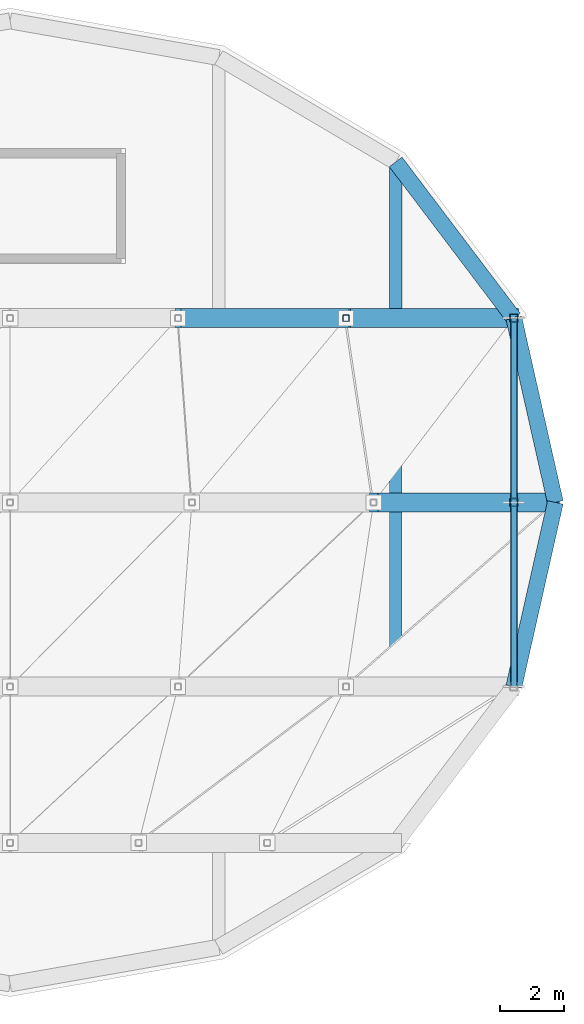
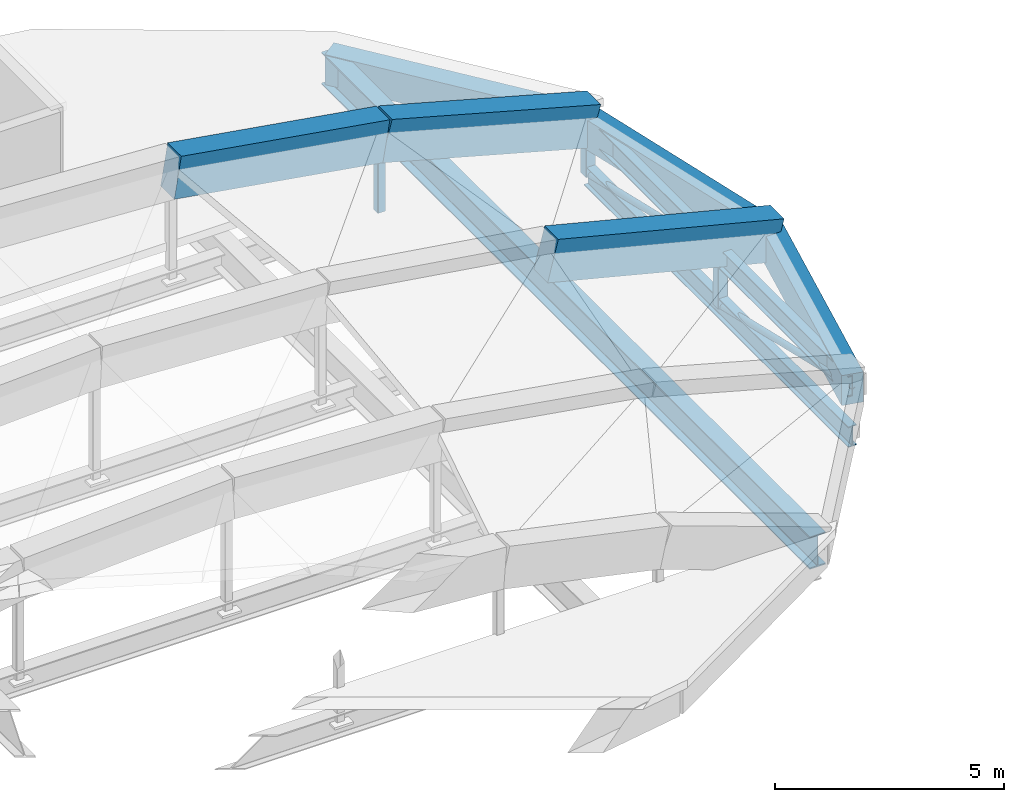
# One storey, part 65 of 88: 8 beams, 7 members.
"""IFC4 building model written with IfcOpenShell, lengths in metres."""

from ifc_helpers import new_model, si_unit, direction, frame, origin, origin_2d, place, context, subcontext, project, spatial, rectangle, hollow_rectangle, hollow_circle, i_section, extrude, material, material_profile, profile_set, type_object, element, save


model = new_model("IFC4")

# Units and contexts
model_context = context("Model", 3, precision=1e-05, world=origin(), true_north=direction((0.0, 1.0)))
body_context = subcontext(model_context, "Body", "Model", "MODEL_VIEW")
ifc_project = project(units=[si_unit("LENGTHUNIT", "METRE"), si_unit("AREAUNIT", "SQUARE_METRE"), si_unit("VOLUMEUNIT", "CUBIC_METRE"), si_unit("PLANEANGLEUNIT", "RADIAN"), si_unit("MASSUNIT", "GRAM", prefix="KILO")], contexts=[model_context])

# Site, building, storey
site_placement = place(None, origin())
site = spatial("IfcSite", under=ifc_project, at=site_placement, CompositionType="ELEMENT")
building_placement = place(site_placement, origin())
building = spatial("IfcBuilding", under=site, at=building_placement, Name="Vespera Passage Community Centre", CompositionType="ELEMENT")
storey_placement = place(building_placement, frame((0.0, 0.0, 16.5)))
storey = spatial("IfcBuildingStorey", under=building, at=storey_placement, Name="L04", CompositionType="ELEMENT", Elevation=16.5)

# Beams
ifc_material_1 = material(Name="Concrete f'c 45 MPa", Category="concrete")
ifc_material_profile_1 = material_profile(ifc_material_1, rectangle(XDim=0.60009765625, YDim=1.10009765625, at=origin_2d()), Name="RC600X1100")
ifc_profile_set_1 = profile_set([ifc_material_profile_1], Name="Concrete f'c 45 MPa")
beam_type_1 = type_object("IfcBeamType", Name="BM-AR-600X1100", PredefinedType="USERDEFINED", material=ifc_profile_set_1)
beam_1_placement = place(storey_placement, frame((154.39990234375, 89.5, 1.0244140625), z_axis=(0.969365839516, 0.0, -0.245621393977), x_axis=(0.0, 1.0, 0.0)))
element("IfcBeam", 1, at=beam_1_placement, inside=storey, type_object=beam_type_1, Name="Sports Hall Arched Rib 3.6", ObjectType="ARCH RIB", PredefinedType="USERDEFINED", context=body_context, shape_type="SweptSolid", body=[
    extrude(rectangle(XDim=0.60009765625, YDim=1.10009765625, at=origin_2d()), origin(), (0.0, 0.0, 1.0), 5.88037109375),
])
beam_2_placement = place(storey_placement, frame((148.26611328125, 95.278564453125, 1.89111328125), z_axis=(0.986725707269, 0.0, -0.162395746908), x_axis=(0.0, 1.0, 0.0)))
element("IfcBeam", 2, at=beam_2_placement, inside=storey, type_object=beam_type_1, Name="Sports Hall Arched Rib 4.5", ObjectType="ARCH RIB", PredefinedType="USERDEFINED", context=body_context, shape_type="SweptSolid", body=[
    extrude(rectangle(XDim=0.60009765625, YDim=1.10009765625, at=origin_2d()), origin(), (0.0, 0.0, 1.0), 5.3369140625),
])
beam_3_placement = place(storey_placement, frame((153.5322265625, 95.278564453125, 1.0244140625), z_axis=(0.964385203819, 0.0, -0.264501755484), x_axis=(0.0, 1.0, 0.0)))
element("IfcBeam", 3, at=beam_3_placement, inside=storey, type_object=beam_type_1, Name="Sports Hall Arched Rib 4.6", ObjectType="ARCH RIB", PredefinedType="USERDEFINED", context=body_context, shape_type="SweptSolid", body=[
    extrude(rectangle(XDim=0.60009765625, YDim=1.10009765625, at=origin_2d()), origin(), (0.0, 0.0, 1.0), 5.460693359375),
])
ifc_material_2 = material(Name="Steel ASTM A992 Grade 50", Category="steel")
ifc_material_profile_2 = material_profile(ifc_material_2, i_section(OverallWidth=0.2138671875, OverallDepth=0.548583984375, WebThickness=0.0146484375, FlangeThickness=0.023681640625, FilletRadius=0.0126953125, at=origin_2d()), Name="W21X93")
ifc_profile_set_2 = profile_set([ifc_material_profile_2], Name="Steel ASTM A992 Grade 50")
beam_type_2 = type_object("IfcBeamType", Name="BM-G-W21X93", PredefinedType="BEAM", material=ifc_profile_set_2)
beam_4_placement = place(storey_placement, frame((158.79833984375, 95.278564453125, -1.860107421875), z_axis=(0.0, -1.0, 0.0), x_axis=(1.0, 0.0, 0.0)))
element("IfcBeam", 4, at=beam_4_placement, inside=storey, type_object=beam_type_2, Name="Sports Hall Eave Tie Beam 1", PredefinedType="BEAM", context=body_context, shape_type="SweptSolid", body=[
    extrude(i_section(OverallWidth=0.2138671875, OverallDepth=0.548583984375, WebThickness=0.0146484375, FlangeThickness=0.023681640625, FilletRadius=0.0126953125, at=origin_2d()), origin(), (0.0, 0.0, 1.0), 11.55712890625),
])
ifc_material_3 = material(Name="Steel ASTM A992 Grade 50", Category="steel")
ifc_material_profile_3 = material_profile(ifc_material_3, i_section(OverallWidth=0.400146484375, OverallDepth=0.86181640625, WebThickness=0.019775390625, FlangeThickness=0.032470703125, FilletRadius=0.017822265625, at=origin_2d()), Name="W33X221")
ifc_profile_set_3 = profile_set([ifc_material_profile_3], Name="Steel ASTM A992 Grade 50")
beam_type_3 = type_object("IfcBeamType", Name="BM-G-W33X221", PredefinedType="BEAM", material=ifc_profile_set_3)
beam_5_placement = place(storey_placement, frame((155.091552734375, 100.17724609375, -0.65087890625), z_axis=(0.0, -1.0, 0.0), x_axis=(1.0, 0.0, 0.0)))
element("IfcBeam", 5, at=beam_5_placement, inside=storey, type_object=beam_type_3, Name="Sports Hall Roof Frame Girder 1", PredefinedType="BEAM", context=body_context, shape_type="SweptSolid", body=[
    extrude(i_section(OverallWidth=0.400146484375, OverallDepth=0.86181640625, WebThickness=0.019775390625, FlangeThickness=0.032470703125, FilletRadius=0.017822265625, at=origin_2d()), origin(), (0.0, 0.0, 1.0), 21.3544921875),
])
ifc_material_4 = material(Name="Concrete f'c 35 MPa", Category="concrete")
ifc_material_profile_4 = material_profile(ifc_material_4, rectangle(XDim=0.5, YDim=0.800048828125, at=origin_2d()), Name="RC500X800")
ifc_profile_set_4 = profile_set([ifc_material_profile_4], Name="Concrete f'c 35 MPa")
beam_type_4 = type_object("IfcBeamType", Name="BM-SP-500X800E", PredefinedType="SPANDREL", material=ifc_profile_set_4)
beam_6_placement = place(storey_placement, frame((160.10009765625, 89.5, -0.60009765625), z_axis=(-0.219766204697, 0.9755525692, 0.0), x_axis=(-0.9755525692, -0.219766204697, 0.0)))
element("IfcBeam", 6, at=beam_6_placement, inside=storey, type_object=beam_type_4, Name="V2 L04 Perimeter Spandrel 1", PredefinedType="SPANDREL", context=body_context, shape_type="SweptSolid", body=[
    extrude(rectangle(XDim=0.5, YDim=0.800048828125, at=origin_2d()), origin(), (0.0, 0.0, 1.0), 5.92333984375),
])
beam_7_placement = place(storey_placement, frame((158.79833984375, 95.278564453125, -0.60009765625), z_axis=(-0.603409203322, 0.797431710773, 0.0), x_axis=(-0.797431710773, -0.603409203322, 0.0)))
element("IfcBeam", 7, at=beam_7_placement, inside=storey, type_object=beam_type_4, Name="V2 L04 Perimeter Spandrel 2", PredefinedType="SPANDREL", context=body_context, shape_type="SweptSolid", body=[
    extrude(rectangle(XDim=0.5, YDim=0.800048828125, at=origin_2d()), origin(), (0.0, 0.0, 1.0), 6.14306640625),
])
beam_8_placement = place(storey_placement, frame((158.79833984375, 83.721435546875, -0.60009765625), z_axis=(0.219766204697, 0.9755525692, 0.0), x_axis=(-0.9755525692, 0.219766204697, 0.0)))
element("IfcBeam", 8, at=beam_8_placement, inside=storey, type_object=beam_type_4, Name="V2 L04 Perimeter Spandrel 16", PredefinedType="SPANDREL", context=body_context, shape_type="SweptSolid", body=[
    extrude(rectangle(XDim=0.5, YDim=0.800048828125, at=origin_2d()), origin(), (0.0, 0.0, 1.0), 5.92333984375),
])

# Members
ifc_material_5 = material(Name="Steel ASTM A500 Grade C", Category="steel")
ifc_material_profile_5 = material_profile(ifc_material_5, hollow_circle(Radius=0.084228515625, WallThickness=0.0087890625, at=origin_2d()), Name="CHS168X9.5")
ifc_profile_set_5 = profile_set([ifc_material_profile_5], Name="Steel ASTM A500 Grade C")
member_type_1 = type_object("IfcMemberType", Name="SB-168", PredefinedType="BRACE", material=ifc_profile_set_5)
for number, where, z_axis, x_axis, name in (
    (9, (158.79833984375, 95.278564453125, -1.860107421875), (0.0, -0.973775316628, 0.22751182986), (1.0, 0.0, 0.0), "Sports Eave Brace 1.1"),
    (10, (158.79833984375, 89.5, -1.860107421875), (0.0, -0.973775316628, 0.22751182986), (1.0, 0.0, 0.0), "Sports Eave Brace 1.2"),
):
    element("IfcMember", number, at=place(storey_placement, frame(where, z_axis=z_axis, x_axis=x_axis)), inside=storey, type_object=member_type_1, Name=name, PredefinedType="BRACE", context=body_context, shape_type="SweptSolid", body=[
        extrude(hollow_circle(Radius=0.084228515625, WallThickness=0.0087890625, at=origin_2d()), origin(), (0.0, 0.0, 1.0), 5.93408203125),
    ])
ifc_material_6 = material(Name="Steel ASTM A992 Grade 50", Category="steel")
ifc_material_profile_6 = material_profile(ifc_material_6, i_section(OverallWidth=0.2138671875, OverallDepth=0.548583984375, WebThickness=0.0146484375, FlangeThickness=0.023681640625, FilletRadius=0.0126953125, at=origin_2d()), Name="W21X93")
ifc_profile_set_6 = profile_set([ifc_material_profile_6], Name="Steel ASTM A992 Grade 50")
member_type_2 = type_object("IfcMemberType", Name="SC-2193", PredefinedType="CHORD", material=ifc_profile_set_6)
for number, where, z_axis, x_axis, name in (
    (11, (158.79833984375, 95.278564453125, -0.510009765625), (0.0, -1.0, 0.0), (1.0, 0.0, 0.0), "Sports Eave Chord 1.1"),
    (12, (158.79833984375, 89.5, -0.510009765625), (0.0, -1.0, 0.0), (1.0, 0.0, 0.0), "Sports Eave Chord 1.2"),
):
    element("IfcMember", number, at=place(storey_placement, frame(where, z_axis=z_axis, x_axis=x_axis)), inside=storey, type_object=member_type_2, Name=name, PredefinedType="CHORD", context=body_context, shape_type="SweptSolid", body=[
        extrude(i_section(OverallWidth=0.2138671875, OverallDepth=0.548583984375, WebThickness=0.0146484375, FlangeThickness=0.023681640625, FilletRadius=0.0126953125, at=origin_2d()), origin(), (0.0, 0.0, 1.0), 5.778564453125),
    ])
ifc_material_7 = material(Name="Steel ASTM A500 Grade C", Category="steel")
ifc_material_profile_7 = material_profile(ifc_material_7, hollow_rectangle(XDim=0.203125, YDim=0.203125, WallThickness=0.01171875, InnerFilletRadius=0.01171875, OuterFilletRadius=0.023681640625, at=origin_2d()), Name="HSS203X203X12.7")
ifc_profile_set_7 = profile_set([ifc_material_profile_7], Name="Steel ASTM A500 Grade C")
member_type_3 = type_object("IfcMemberType", Name="SS-203", PredefinedType="STRUT", material=ifc_profile_set_7)
member_placement = place(storey_placement, frame((153.5322265625, 95.278564453125, -0.989990234375), z_axis=(0.0, 0.0, 1.0), x_axis=(1.0, 0.0, 0.0)))
element("IfcMember", 13, at=member_placement, inside=storey, type_object=member_type_3, Name="Sports Hall Arch Rib 4 Bowstring Post 5", PredefinedType="STRUT", context=body_context, shape_type="SweptSolid", body=[
    extrude(hollow_rectangle(XDim=0.203125, YDim=0.203125, WallThickness=0.01171875, InnerFilletRadius=0.01171875, OuterFilletRadius=0.023681640625, at=origin_2d()), origin(), (0.0, 0.0, 1.0), 2.014404296875),
])
ifc_material_8 = material(Name="Steel ASTM A500 Grade C", Category="steel")
ifc_material_profile_8 = material_profile(ifc_material_8, hollow_rectangle(XDim=0.25390625, YDim=0.25390625, WallThickness=0.01171875, InnerFilletRadius=0.01171875, OuterFilletRadius=0.023681640625, at=origin_2d()), Name="HSS254X254X12.7")
ifc_profile_set_8 = profile_set([ifc_material_profile_8], Name="Steel ASTM A500 Grade C")
member_type_4 = type_object("IfcMemberType", Name="TP-254", PredefinedType="POST", material=ifc_profile_set_8)
for number, where, z_axis, x_axis, name in (
    (14, (158.79833984375, 95.278564453125, -1.860107421875), (0.0, 0.0, 1.0), (1.0, 0.0, 0.0), "Sports Eave Post 1.1"),
    (15, (158.79833984375, 89.5, -1.860107421875), (0.0, 0.0, 1.0), (1.0, 0.0, 0.0), "Sports Eave Post 1.2"),
):
    element("IfcMember", number, at=place(storey_placement, frame(where, z_axis=z_axis, x_axis=x_axis)), inside=storey, type_object=member_type_4, Name=name, PredefinedType="POST", context=body_context, shape_type="SweptSolid", body=[
        extrude(hollow_rectangle(XDim=0.25390625, YDim=0.25390625, WallThickness=0.01171875, InnerFilletRadius=0.01171875, OuterFilletRadius=0.023681640625, at=origin_2d()), origin(), (0.0, 0.0, 1.0), 1.35009765625),
    ])

save(model, "model.ifc")
